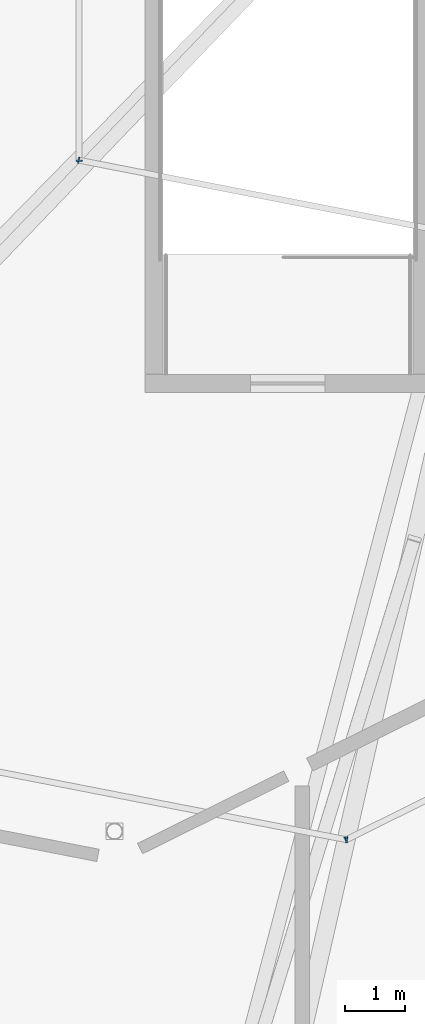
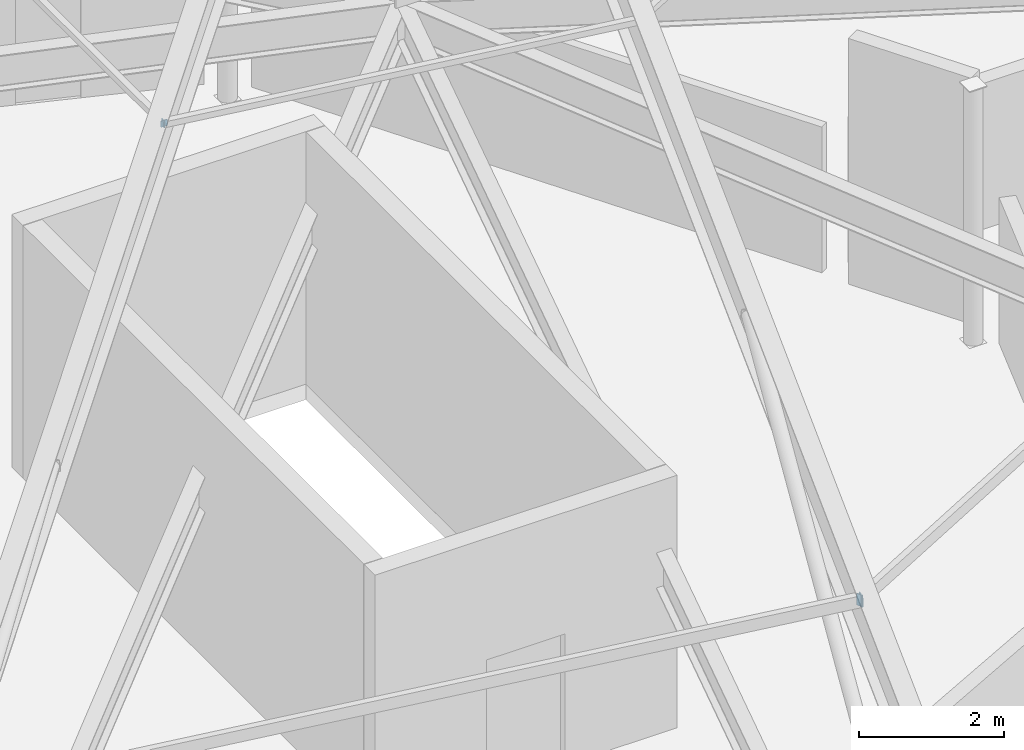
# One storey, part 31 of 50: 4 plates.
"""IFC4 building model written with IfcOpenShell, lengths in metres."""

from ifc_helpers import new_model, si_unit, direction, frame, origin, origin_2d, place, context, subcontext, project, spatial, rectangle, extrude, material, layer, layer_set, type_object, element, save


model = new_model("IFC4")

# Units and contexts
model_context = context("Model", 3, precision=1e-05, world=origin(), true_north=direction((0.0, 1.0)))
body_context = subcontext(model_context, "Body", "Model", "MODEL_VIEW")
ifc_project = project(units=[si_unit("LENGTHUNIT", "METRE"), si_unit("AREAUNIT", "SQUARE_METRE"), si_unit("VOLUMEUNIT", "CUBIC_METRE"), si_unit("PLANEANGLEUNIT", "RADIAN"), si_unit("MASSUNIT", "GRAM", prefix="KILO")], contexts=[model_context])

# Site, building, storey
site_placement = place(None, origin())
site = spatial("IfcSite", under=ifc_project, at=site_placement, CompositionType="ELEMENT")
building_placement = place(site_placement, origin())
building = spatial("IfcBuilding", under=site, at=building_placement, Name="Sarnbrook Museum", CompositionType="ELEMENT")
storey_placement = place(building_placement, frame((0.0, 0.0, 28.10009765625)))
storey = spatial("IfcBuildingStorey", under=building, at=storey_placement, Name="L05", CompositionType="ELEMENT", Elevation=28.10009765625)

# Plates
ifc_material = material(Name="Structural Steel Grade 350L0 (AS/NZS 3678, fy = 340 MPa for 20 < t <= 40 mm)", Category="steel")
ifc_layer_1 = layer(ifc_material, 0.01611328125)
ifc_layer_set_1 = layer_set([ifc_layer_1], Name="Structural Steel Grade 350L0 (AS/NZS 3678, fy = 340 MPa for 20 < t <= 40 mm)")
plate_type_1 = type_object("IfcPlateType", Name="EndCapPlate_CAP100", PredefinedType="USERDEFINED", material=ifc_layer_set_1)
for number, where, z_axis, x_axis, name in (
    (1, (140.27685546875, 84.102783203125, 9.87158203125), (0.981287374428, -0.191269718589, 0.022158148389), (0.191316691028, 0.981528361146, 0.0), "Hollow End Cap Plate CRPR:1:2-1"),
    (2, (140.29248046875, 84.099853515625, 9.871826171875), (0.0, -1.0, 0.0), (1.0, 0.0, 0.0), "Hollow End Cap Plate CRPR:7:2-2"),
):
    element("IfcPlate", number, at=place(storey_placement, frame(where, z_axis=z_axis, x_axis=x_axis)), inside=storey, type_object=plate_type_1, Name=name, ObjectType="END CAP PLATE", PredefinedType="USERDEFINED", context=body_context, shape_type="SweptSolid", body=[
        extrude(rectangle(XDim=0.10009765625, YDim=0.10009765625, at=origin_2d()), origin(), (0.0, 0.0, 1.0), 0.01611328125),
    ])
ifc_layer_2 = layer(ifc_material, 0.01611328125)
ifc_layer_set_2 = layer_set([ifc_layer_2], Name="Structural Steel Grade 350L0 (AS/NZS 3678, fy = 340 MPa for 20 < t <= 40 mm)")
plate_type_2 = type_object("IfcPlateType", Name="EndCapPlate_CAP200x100", PredefinedType="USERDEFINED", material=ifc_layer_set_2)
for number, where, z_axis, x_axis, name in (
    (3, (144.779296875, 72.688720703125, 7.204833984375), (0.981287181125, -0.191270685504, 0.022158362451), (0.191317659088, 0.981528172454, 0.0), "Hollow End Cap Plate CRPR:1:1-2"),
    (4, (144.7646484375, 72.681396484375, 7.204345703125), (0.895775455255, 0.44354253184, 0.02926356456), (-0.443732569105, 0.896159253211, 0.0), "Hollow End Cap Plate CRPR:2:1-1"),
):
    element("IfcPlate", number, at=place(storey_placement, frame(where, z_axis=z_axis, x_axis=x_axis)), inside=storey, type_object=plate_type_2, Name=name, ObjectType="END CAP PLATE", PredefinedType="USERDEFINED", context=body_context, shape_type="SweptSolid", body=[
        extrude(rectangle(XDim=0.10009765625, YDim=0.199951171875, at=origin_2d()), origin(), (0.0, 0.0, 1.0), 0.01611328125),
    ])

save(model, "model.ifc")
